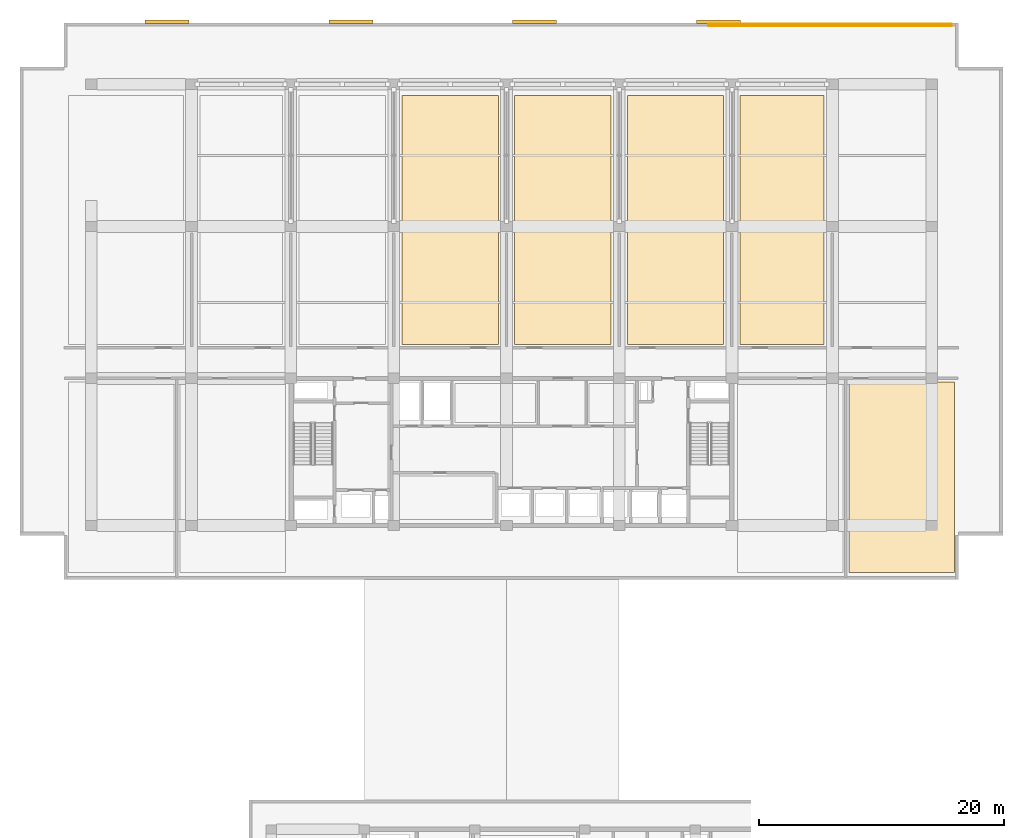
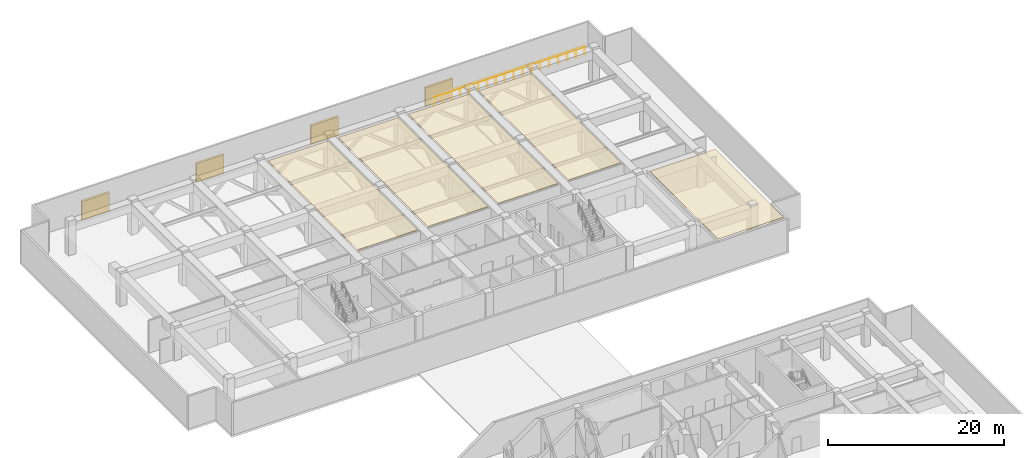
# One storey, part 22 of 22: 5 coverings, 4 shading devices, 2 railings.
"""IFC4 building model written with IfcOpenShell, lengths in metres."""

from ifc_helpers import new_model, si_unit, direction, frame, origin, origin_2d, place, context, subcontext, project, spatial, polyline, rectangle, circle, outline, extrude, material, layer, layer_set, type_object, element, save


model = new_model("IFC4")

# Units and contexts
model_context = context("Model", 3, precision=1e-05, world=origin(), true_north=direction((0.0, 1.0)))
body_context = subcontext(model_context, "Body", "Model", "MODEL_VIEW")
ifc_project = project(units=[si_unit("LENGTHUNIT", "METRE"), si_unit("AREAUNIT", "SQUARE_METRE"), si_unit("VOLUMEUNIT", "CUBIC_METRE"), si_unit("PLANEANGLEUNIT", "RADIAN"), si_unit("MASSUNIT", "GRAM", prefix="KILO")], contexts=[model_context])

# Site, building, storey
site_placement = place(None, origin())
site = spatial("IfcSite", under=ifc_project, at=site_placement, CompositionType="ELEMENT")
building_placement = place(site_placement, origin())
building = spatial("IfcBuilding", under=site, at=building_placement, Name="Korimba Cascade Residences", CompositionType="ELEMENT")
storey_placement = place(building_placement, frame((0.0, 0.0, 157.300048828125)))
storey = spatial("IfcBuildingStorey", under=building, at=storey_placement, Name="L45", CompositionType="ELEMENT", Elevation=157.300048828125)

# Coverings
ifc_material_1 = material(Name="Mineral Wool Thermal Acoustic Insulation", Category="insulation")
ifc_layer = layer(ifc_material_1, 0.06005859375)
ifc_layer_set = layer_set([ifc_layer], Name="Mineral Wool Thermal Acoustic Insulation")
covering_type = type_object("IfcCoveringType", Name="COV-INS-60", PredefinedType="INSULATION", material=ifc_layer_set)
covering_1_placement = place(storey_placement, frame((0.0, 0.0, 4.419921875)))
element("IfcCovering", 1, at=covering_1_placement, inside=storey, type_object=covering_type, Name="L45 Mineral Wool Acoustic Soffit Insulation L45-PL14", PredefinedType="INSULATION", context=body_context, shape_type="SweptSolid", body=[
    extrude(outline(polyline([(85.169921875, 69.949951171875), (93.030029296875, 69.949951171875), (93.030029296875, 90.300048828125), (85.169921875, 90.300048828125), (85.169921875, 69.949951171875)])), origin(), (0.0, 0.0, 1.0), 0.06005859375),
])
covering_2_placement = place(storey_placement, frame((0.0, 0.0, 4.419921875)))
element("IfcCovering", 2, at=covering_2_placement, inside=storey, type_object=covering_type, Name="L45 Mineral Wool Acoustic Soffit Insulation L45-PL15", PredefinedType="INSULATION", context=body_context, shape_type="SweptSolid", body=[
    extrude(outline(polyline([(94.3701171875, 69.949951171875), (102.22998046875, 69.949951171875), (102.22998046875, 90.300048828125), (94.3701171875, 90.300048828125), (94.3701171875, 69.949951171875)])), origin(), (0.0, 0.0, 1.0), 0.06005859375),
])
covering_3_placement = place(storey_placement, frame((0.0, 0.0, 4.419921875)))
element("IfcCovering", 3, at=covering_3_placement, inside=storey, type_object=covering_type, Name="L45 Mineral Wool Acoustic Soffit Insulation L45-PL16", PredefinedType="INSULATION", context=body_context, shape_type="SweptSolid", body=[
    extrude(outline(polyline([(103.570068359375, 69.949951171875), (111.429931640625, 69.949951171875), (111.429931640625, 90.300048828125), (103.570068359375, 90.300048828125), (103.570068359375, 69.949951171875)])), origin(), (0.0, 0.0, 1.0), 0.06005859375),
])
covering_4_placement = place(storey_placement, frame((0.0, 0.0, 4.419921875)))
element("IfcCovering", 4, at=covering_4_placement, inside=storey, type_object=covering_type, Name="L45 Mineral Wool Acoustic Soffit Insulation L45-PL17", PredefinedType="INSULATION", context=body_context, shape_type="SweptSolid", body=[
    extrude(outline(polyline([(112.77001953125, 69.949951171875), (119.6298828125, 69.949951171875), (119.6298828125, 90.300048828125), (112.77001953125, 90.300048828125), (112.77001953125, 69.949951171875)])), origin(), (0.0, 0.0, 1.0), 0.06005859375),
])
covering_5_placement = place(storey_placement, frame((0.0, 0.0, 4.419921875)))
element("IfcCovering", 5, at=covering_5_placement, inside=storey, type_object=covering_type, Name="L45 Mineral Wool Acoustic Soffit Insulation L45-RWE2", PredefinedType="INSULATION", context=body_context, shape_type="SweptSolid", body=[
    extrude(outline(polyline([(121.64990234375, 51.35009765625), (130.25, 51.35009765625), (130.25, 66.89990234375), (121.64990234375, 66.89990234375), (121.64990234375, 51.35009765625)])), origin(), (0.0, 0.0, 1.0), 0.06005859375),
])

# Railings
ifc_material_2 = material(Name="Painted Galvanised Steel Terrace Guardrail", Category="steel")
railing_type = type_object("IfcRailingType", Name="RLG-TER-1150", PredefinedType="GUARDRAIL", material=ifc_material_2)
railing_1_placement = place(storey_placement, frame((110.199951171875, 96.1298828125, 0.0)))
element("IfcRailing", 6, at=railing_1_placement, inside=storey, type_object=railing_type, Name="L45 Perimeter Guardrail RLG-L45-T1-REF-01", PredefinedType="GUARDRAIL", context=body_context, shape_type="SweptSolid", body=[
    extrude(circle(Radius=0.02392578125, at=origin_2d()), frame((0.0, 0.0, 1.1259765625), z_axis=(1.0, 0.0, 0.0), x_axis=(0.0, 1.0, 0.0)), (0.0, 0.0, 1.0), 19.800048828125),
    extrude(circle(Radius=0.02099609375, at=origin_2d()), origin(), (0.0, 0.0, 1.0), 1.101806640625),
    extrude(circle(Radius=0.02099609375, at=origin_2d()), frame((1.164794921875, 0.0, 0.0)), (0.0, 0.0, 1.0), 1.101806640625),
    extrude(circle(Radius=0.02099609375, at=origin_2d()), frame((2.329345703125, 0.0, 0.0)), (0.0, 0.0, 1.0), 1.101806640625),
    extrude(circle(Radius=0.02099609375, at=origin_2d()), frame((3.494140625, 0.0, 0.0)), (0.0, 0.0, 1.0), 1.101806640625),
    extrude(circle(Radius=0.02099609375, at=origin_2d()), frame((4.658935546875, 0.0, 0.0)), (0.0, 0.0, 1.0), 1.101806640625),
    extrude(circle(Radius=0.02099609375, at=origin_2d()), frame((5.823486328125, 0.0, 0.0)), (0.0, 0.0, 1.0), 1.101806640625),
    extrude(circle(Radius=0.02099609375, at=origin_2d()), frame((6.98828125, 0.0, 0.0)), (0.0, 0.0, 1.0), 1.101806640625),
    extrude(circle(Radius=0.02099609375, at=origin_2d()), frame((8.153076171875, 0.0, 0.0)), (0.0, 0.0, 1.0), 1.101806640625),
    extrude(circle(Radius=0.02099609375, at=origin_2d()), frame((9.317626953125, 0.0, 0.0)), (0.0, 0.0, 1.0), 1.101806640625),
    extrude(circle(Radius=0.02099609375, at=origin_2d()), frame((10.482421875, 0.0, 0.0)), (0.0, 0.0, 1.0), 1.101806640625),
    extrude(circle(Radius=0.02099609375, at=origin_2d()), frame((11.64697265625, 0.0, 0.0)), (0.0, 0.0, 1.0), 1.101806640625),
    extrude(circle(Radius=0.02099609375, at=origin_2d()), frame((12.811767578125, 0.0, 0.0)), (0.0, 0.0, 1.0), 1.101806640625),
    extrude(circle(Radius=0.02099609375, at=origin_2d()), frame((13.9765625, 0.0, 0.0)), (0.0, 0.0, 1.0), 1.101806640625),
    extrude(circle(Radius=0.02099609375, at=origin_2d()), frame((15.14111328125, 0.0, 0.0)), (0.0, 0.0, 1.0), 1.101806640625),
    extrude(circle(Radius=0.02099609375, at=origin_2d()), frame((16.305908203125, 0.0, 0.0)), (0.0, 0.0, 1.0), 1.101806640625),
    extrude(circle(Radius=0.02099609375, at=origin_2d()), frame((17.470703125, 0.0, 0.0)), (0.0, 0.0, 1.0), 1.101806640625),
    extrude(circle(Radius=0.02099609375, at=origin_2d()), frame((18.63525390625, 0.0, 0.0)), (0.0, 0.0, 1.0), 1.101806640625),
    extrude(circle(Radius=0.02099609375, at=origin_2d()), frame((19.800048828125, 0.0, 0.0)), (0.0, 0.0, 1.0), 1.101806640625),
])
railing_2_placement = place(storey_placement, frame((130.0, 95.969970703125, 0.0)))
element("IfcRailing", 7, at=railing_2_placement, inside=storey, type_object=railing_type, Name="L45 Perimeter Guardrail RLG-L45-T1-REF-02", PredefinedType="GUARDRAIL", context=body_context, shape_type="SweptSolid", body=[
    extrude(circle(Radius=0.02392578125, at=origin_2d()), frame((0.0, 0.0, 1.1259765625), z_axis=(-1.0, 0.0, 0.0), x_axis=(0.0, -1.0, 0.0)), (0.0, 0.0, 1.0), 19.800048828125),
    extrude(circle(Radius=0.02099609375, at=origin_2d()), origin(), (0.0, 0.0, 1.0), 1.101806640625),
    extrude(circle(Radius=0.02099609375, at=origin_2d()), frame((-1.164794921875, 0.0, 0.0)), (0.0, 0.0, 1.0), 1.101806640625),
    extrude(circle(Radius=0.02099609375, at=origin_2d()), frame((-2.329345703125, 0.0, 0.0)), (0.0, 0.0, 1.0), 1.101806640625),
    extrude(circle(Radius=0.02099609375, at=origin_2d()), frame((-3.494140625, 0.0, 0.0)), (0.0, 0.0, 1.0), 1.101806640625),
    extrude(circle(Radius=0.02099609375, at=origin_2d()), frame((-4.658935546875, 0.0, 0.0)), (0.0, 0.0, 1.0), 1.101806640625),
    extrude(circle(Radius=0.02099609375, at=origin_2d()), frame((-5.823486328125, 0.0, 0.0)), (0.0, 0.0, 1.0), 1.101806640625),
    extrude(circle(Radius=0.02099609375, at=origin_2d()), frame((-6.98828125, 0.0, 0.0)), (0.0, 0.0, 1.0), 1.101806640625),
    extrude(circle(Radius=0.02099609375, at=origin_2d()), frame((-8.153076171875, 0.0, 0.0)), (0.0, 0.0, 1.0), 1.101806640625),
    extrude(circle(Radius=0.02099609375, at=origin_2d()), frame((-9.317626953125, 0.0, 0.0)), (0.0, 0.0, 1.0), 1.101806640625),
    extrude(circle(Radius=0.02099609375, at=origin_2d()), frame((-10.482421875, 0.0, 0.0)), (0.0, 0.0, 1.0), 1.101806640625),
    extrude(circle(Radius=0.02099609375, at=origin_2d()), frame((-11.64697265625, 0.0, 0.0)), (0.0, 0.0, 1.0), 1.101806640625),
    extrude(circle(Radius=0.02099609375, at=origin_2d()), frame((-12.811767578125, 0.0, 0.0)), (0.0, 0.0, 1.0), 1.101806640625),
    extrude(circle(Radius=0.02099609375, at=origin_2d()), frame((-13.9765625, 0.0, 0.0)), (0.0, 0.0, 1.0), 1.101806640625),
    extrude(circle(Radius=0.02099609375, at=origin_2d()), frame((-15.14111328125, 0.0, 0.0)), (0.0, 0.0, 1.0), 1.101806640625),
    extrude(circle(Radius=0.02099609375, at=origin_2d()), frame((-16.305908203125, 0.0, 0.0)), (0.0, 0.0, 1.0), 1.101806640625),
    extrude(circle(Radius=0.02099609375, at=origin_2d()), frame((-17.470703125, 0.0, 0.0)), (0.0, 0.0, 1.0), 1.101806640625),
    extrude(circle(Radius=0.02099609375, at=origin_2d()), frame((-18.63525390625, 0.0, 0.0)), (0.0, 0.0, 1.0), 1.101806640625),
    extrude(circle(Radius=0.02099609375, at=origin_2d()), frame((-19.800048828125, 0.0, 0.0)), (0.0, 0.0, 1.0), 1.101806640625),
])

# Shading devices
ifc_material_3 = material(Name="Powder-Coated Bronze Acoustic Louvre Bank", Category="aluminium")
shading_device_type = type_object("IfcShadingDeviceType", Name="SHD-LVR-300", PredefinedType="USERDEFINED", material=ifc_material_3)
for number, where, z_axis, x_axis, name in (
    (8, (66.0, 96.300048828125, 0.0), (0.0, 0.0, 1.0), (1.0, 0.0, 0.0), "L45 T1 Plant Acoustic Louvre 1"),
    (9, (81.0, 96.300048828125, 0.0), (0.0, 0.0, 1.0), (1.0, 0.0, 0.0), "L45 T1 Plant Acoustic Louvre 2"),
    (10, (96.0, 96.300048828125, 0.0), (0.0, 0.0, 1.0), (1.0, 0.0, 0.0), "L45 T1 Plant Acoustic Louvre 3"),
    (11, (111.0, 96.300048828125, 0.0), (0.0, 0.0, 1.0), (1.0, 0.0, 0.0), "L45 T1 Plant Acoustic Louvre 4"),
):
    element("IfcShadingDevice", number, at=place(storey_placement, frame(where, z_axis=z_axis, x_axis=x_axis)), inside=storey, type_object=shading_device_type, Name=name, ObjectType="LOUVRE", PredefinedType="USERDEFINED", context=body_context, shape_type="SweptSolid", body=[
        extrude(rectangle(XDim=3.60009765625, YDim=0.300048828125, at=origin_2d()), origin(), (0.0, 0.0, 1.0), 2.60009765625),
    ])

save(model, "model.ifc")
